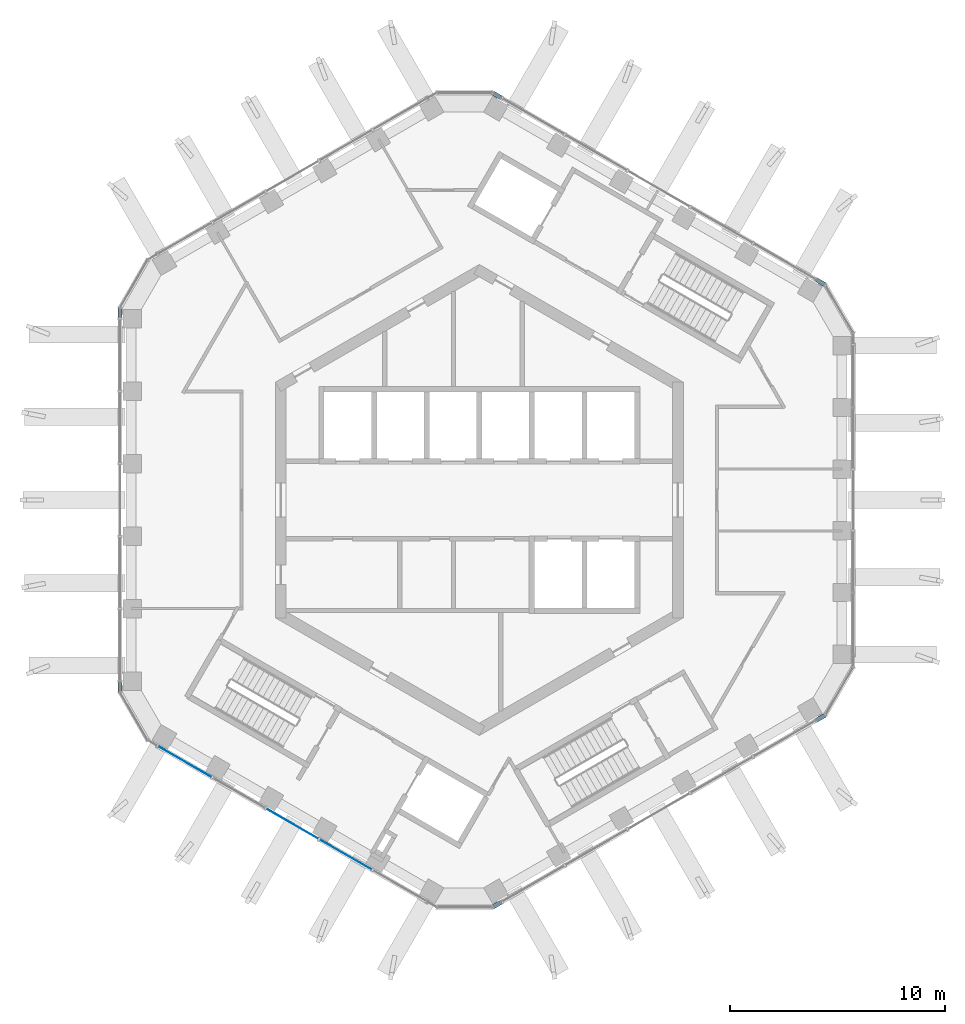
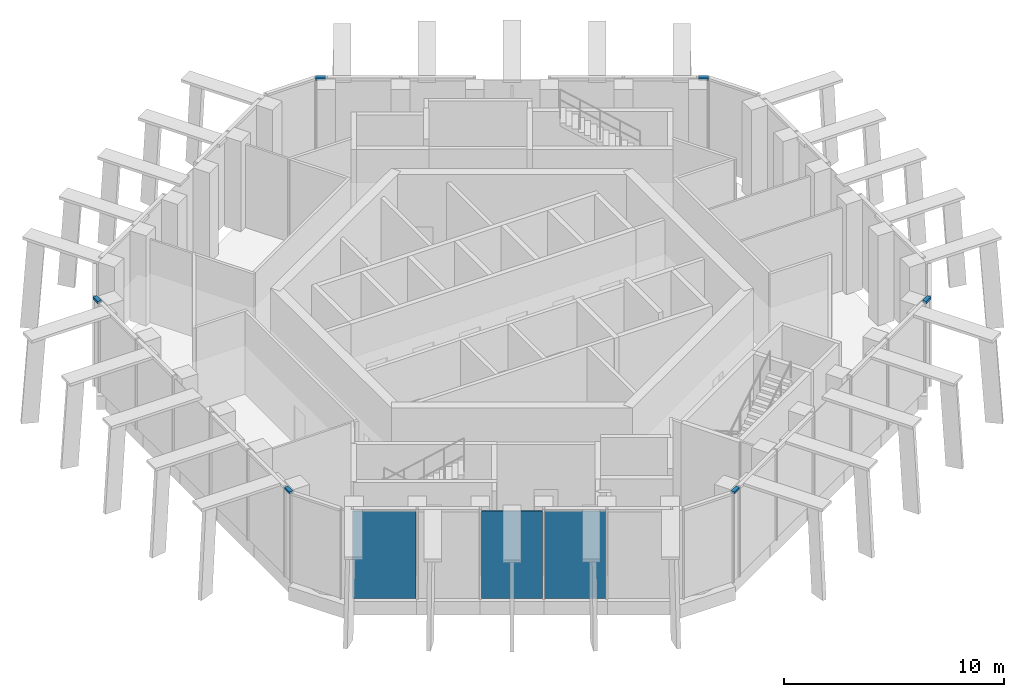
# One storey, part 6 of 17: 6 members, 3 plates, 7 elements without a shape of their own.
"""IFC4 building model written with IfcOpenShell, lengths in metres."""

from ifc_helpers import new_model, si_unit, direction, frame, origin, origin_2d, place, context, subcontext, project, spatial, rectangle, extrude, material, layer, layer_set, material_profile, profile_set, type_object, element, aggregate, save


model = new_model("IFC4")

# Units and contexts
model_context = context("Model", 3, precision=1e-05, world=origin(), true_north=direction((0.0, 1.0)))
body_context = subcontext(model_context, "Body", "Model", "MODEL_VIEW")
ifc_project = project(units=[si_unit("LENGTHUNIT", "METRE"), si_unit("AREAUNIT", "SQUARE_METRE"), si_unit("VOLUMEUNIT", "CUBIC_METRE"), si_unit("PLANEANGLEUNIT", "RADIAN"), si_unit("MASSUNIT", "GRAM", prefix="KILO")], contexts=[model_context])

# Site, building, storey
site_placement = place(None, origin())
site = spatial("IfcSite", under=ifc_project, at=site_placement, CompositionType="ELEMENT")
building_placement = place(site_placement, origin())
building = spatial("IfcBuilding", under=site, at=building_placement, Name="Ayvan Gate Tower", CompositionType="ELEMENT")
storey_placement = place(building_placement, frame((0.0, 0.0, 257.89990234375)))
storey = spatial("IfcBuildingStorey", under=building, at=storey_placement, Name="L69", CompositionType="ELEMENT", Elevation=257.89990234375)

# Curtain wall, member
ifc_material_1 = material(Name="Bronze anodised aluminium", Category="aluminium")
ifc_layer_1 = layer(ifc_material_1, 0.199951171875)
ifc_layer_set_1 = layer_set([ifc_layer_1], Name="Bronze anodised aluminium")
curtain_wall_type_1 = type_object("IfcCurtainWallType", Name="Stick curtain wall CW-6", PredefinedType="NOTDEFINED", material=ifc_layer_set_1)
curtain_wall_1_placement = place(storey_placement, origin())
curtain_wall_1 = element("IfcCurtainWall", 1, at=curtain_wall_1_placement, inside=storey, type_object=curtain_wall_type_1, Name="Stick curtain wall CW-6 L69", PredefinedType="NOTDEFINED")
ifc_material_profile = material_profile(ifc_material_1, rectangle(XDim=0.199951171875, YDim=0.1201171875, at=origin_2d()), Name="Stick curtain wall CW-6 transom 200 x 120")
ifc_profile_set = profile_set([ifc_material_profile], Name="Bronze anodised aluminium")
member_type = type_object("IfcMemberType", Name="Stick curtain wall CW-6 transom 200 x 120", PredefinedType="USERDEFINED", material=ifc_profile_set)
member_1_placement = place(storey_placement, frame((-16.731689453125, 8.93017578125, 4.940185546875), z_axis=(0.0, -1.0, 0.0), x_axis=(1.0, 0.0, 0.0)))
member_1 = element("IfcMember", 2, at=member_1_placement, type_object=member_type, Name="CW-6 transom 2", ObjectType="TRANSOM", PredefinedType="USERDEFINED", context=body_context, shape_type="SweptSolid", body=[
    extrude(rectangle(XDim=0.199951171875, YDim=0.1201171875, at=origin_2d()), origin(), (0.0, 0.0, 1.0), 0.4501953125),
])
aggregate(curtain_wall_1, [member_1])

curtain_wall_2_placement = place(storey_placement, origin())
curtain_wall_2 = element("IfcCurtainWall", 3, at=curtain_wall_2_placement, inside=storey, type_object=curtain_wall_type_1, Name="Stick curtain wall CW-6 L69", PredefinedType="NOTDEFINED")
member_2_placement = place(storey_placement, frame((-16.731689453125, -8.47998046875, 4.940185546875), z_axis=(0.0, -1.0, 0.0), x_axis=(1.0, 0.0, 0.0)))
member_2 = element("IfcMember", 4, at=member_2_placement, type_object=member_type, Name="CW-6 transom 1", ObjectType="TRANSOM", PredefinedType="USERDEFINED", context=body_context, shape_type="SweptSolid", body=[
    extrude(rectangle(XDim=0.199951171875, YDim=0.1201171875, at=origin_2d()), origin(), (0.0, 0.0, 1.0), 0.4501953125),
])
aggregate(curtain_wall_2, [member_2])

curtain_wall_3_placement = place(storey_placement, origin())
curtain_wall_3 = element("IfcCurtainWall", 5, at=curtain_wall_3_placement, inside=storey, type_object=curtain_wall_type_1, Name="Stick curtain wall CW-6 L69", PredefinedType="NOTDEFINED")
member_3_placement = place(storey_placement, frame((0.632080078125, -18.955078125, 4.940185546875), z_axis=(0.866266849364, 0.49958157061, 0.0), x_axis=(-0.49958157061, 0.866266849364, 0.0)))
member_3 = element("IfcMember", 6, at=member_3_placement, type_object=member_type, Name="CW-6 transom 2", ObjectType="TRANSOM", PredefinedType="USERDEFINED", context=body_context, shape_type="SweptSolid", body=[
    extrude(rectangle(XDim=0.199951171875, YDim=0.1201171875, at=origin_2d()), origin(), (0.0, 0.0, 1.0), 0.4501953125),
])
aggregate(curtain_wall_3, [member_3])

curtain_wall_4_placement = place(storey_placement, origin())
curtain_wall_4 = element("IfcCurtainWall", 7, at=curtain_wall_4_placement, inside=storey, type_object=curtain_wall_type_1, Name="Stick curtain wall CW-6 L69", PredefinedType="NOTDEFINED")
member_4_placement = place(storey_placement, frame((15.7099609375, -10.25, 4.940185546875), z_axis=(0.866131372301, 0.499816412211, 0.0), x_axis=(-0.499816412211, 0.866131372301, 0.0)))
member_4 = element("IfcMember", 8, at=member_4_placement, type_object=member_type, Name="CW-6 transom 1", ObjectType="TRANSOM", PredefinedType="USERDEFINED", context=body_context, shape_type="SweptSolid", body=[
    extrude(rectangle(XDim=0.199951171875, YDim=0.1201171875, at=origin_2d()), origin(), (0.0, 0.0, 1.0), 0.449951171875),
])
aggregate(curtain_wall_4, [member_4])

curtain_wall_5_placement = place(storey_placement, origin())
curtain_wall_5 = element("IfcCurtainWall", 9, at=curtain_wall_5_placement, inside=storey, type_object=curtain_wall_type_1, Name="Stick curtain wall CW-6 L69", PredefinedType="NOTDEFINED")
member_5_placement = place(storey_placement, frame((16.099609375, 10.025146484375, 4.940185546875), z_axis=(-0.866131372301, 0.499816412211, 0.0), x_axis=(-0.499816412211, -0.866131372301, 0.0)))
member_5 = element("IfcMember", 10, at=member_5_placement, type_object=member_type, Name="CW-6 transom 2", ObjectType="TRANSOM", PredefinedType="USERDEFINED", context=body_context, shape_type="SweptSolid", body=[
    extrude(rectangle(XDim=0.199951171875, YDim=0.1201171875, at=origin_2d()), origin(), (0.0, 0.0, 1.0), 0.449951171875),
])
aggregate(curtain_wall_5, [member_5])

curtain_wall_6_placement = place(storey_placement, origin())
curtain_wall_6 = element("IfcCurtainWall", 11, at=curtain_wall_6_placement, inside=storey, type_object=curtain_wall_type_1, Name="Stick curtain wall CW-6 L69", PredefinedType="NOTDEFINED")
member_6_placement = place(storey_placement, frame((1.02197265625, 18.730224609375, 4.940185546875), z_axis=(-0.866266849364, 0.49958157061, 0.0), x_axis=(-0.49958157061, -0.866266849364, 0.0)))
member_6 = element("IfcMember", 12, at=member_6_placement, type_object=member_type, Name="CW-6 transom 1", ObjectType="TRANSOM", PredefinedType="USERDEFINED", context=body_context, shape_type="SweptSolid", body=[
    extrude(rectangle(XDim=0.199951171875, YDim=0.1201171875, at=origin_2d()), origin(), (0.0, 0.0, 1.0), 0.4501953125),
])
aggregate(curtain_wall_6, [member_6])

# Curtain wall, plates
ifc_layer_2 = layer(ifc_material_1, 0.199951171875)
ifc_layer_set_2 = layer_set([ifc_layer_2], Name="Bronze anodised aluminium")
curtain_wall_type_2 = type_object("IfcCurtainWallType", Name="Stick curtain wall CW-5", PredefinedType="NOTDEFINED", material=ifc_layer_set_2)
curtain_wall_7_placement = place(storey_placement, origin())
curtain_wall_7 = element("IfcCurtainWall", 13, at=curtain_wall_7_placement, inside=storey, type_object=curtain_wall_type_2, Name="Stick curtain wall CW-5 L69", PredefinedType="NOTDEFINED")
ifc_material_2 = material(Name="Clear low-iron laminated glass", Category="glass")
ifc_layer_3 = layer(ifc_material_2, 0.028076171875)
ifc_layer_set_3 = layer_set([ifc_layer_3], Name="Clear low-iron laminated glass")
plate_type = type_object("IfcPlateType", Name="Stick curtain wall CW-5 glass panel", PredefinedType="CURTAIN_PANEL", material=ifc_layer_set_3)
plate_1_placement = place(storey_placement, frame((-13.733642578125, -12.17724609375, 0.0), z_axis=(0.0, 0.0, 1.0), x_axis=(0.866025403784, -0.5, 0.0)))
plate_1 = element("IfcPlate", 14, at=plate_1_placement, type_object=plate_type, Name="CW-5 glass panel 1", PredefinedType="CURTAIN_PANEL", context=body_context, shape_type="SweptSolid", body=[
    extrude(rectangle(XDim=2.902099609375, YDim=0.028076171875, at=origin_2d()), origin(), (0.0, 0.0, 1.0), 4.85009765625),
])
plate_2_placement = place(storey_placement, frame((-8.706298828125, -15.07958984375, 0.0), z_axis=(0.0, 0.0, 1.0), x_axis=(0.866025403784, -0.5, 0.0)))
plate_2 = element("IfcPlate", 15, at=plate_2_placement, type_object=plate_type, Name="CW-5 glass panel 3", PredefinedType="CURTAIN_PANEL", context=body_context, shape_type="SweptSolid", body=[
    extrude(rectangle(XDim=2.781982421875, YDim=0.028076171875, at=origin_2d()), origin(), (0.0, 0.0, 1.0), 4.85009765625),
])
plate_3_placement = place(storey_placement, frame((-6.218505859375, -16.515869140625, 0.0), z_axis=(0.0, 0.0, 1.0), x_axis=(0.866025403784, -0.5, 0.0)))
plate_3 = element("IfcPlate", 16, at=plate_3_placement, type_object=plate_type, Name="CW-5 glass panel 4", PredefinedType="CURTAIN_PANEL", context=body_context, shape_type="SweptSolid", body=[
    extrude(rectangle(XDim=2.782958984375, YDim=0.028076171875, at=origin_2d()), origin(), (0.0, 0.0, 1.0), 4.85009765625),
])
aggregate(curtain_wall_7, [plate_1, plate_2, plate_3])

save(model, "model.ifc")
